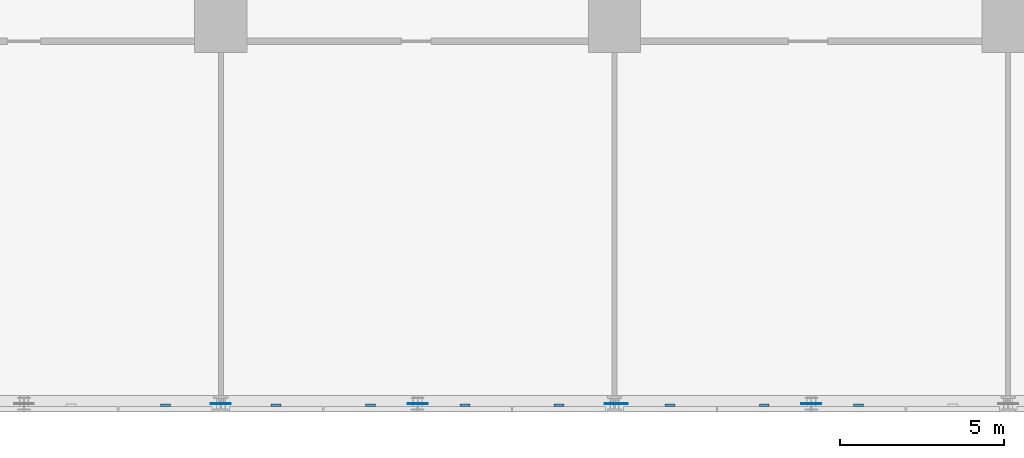
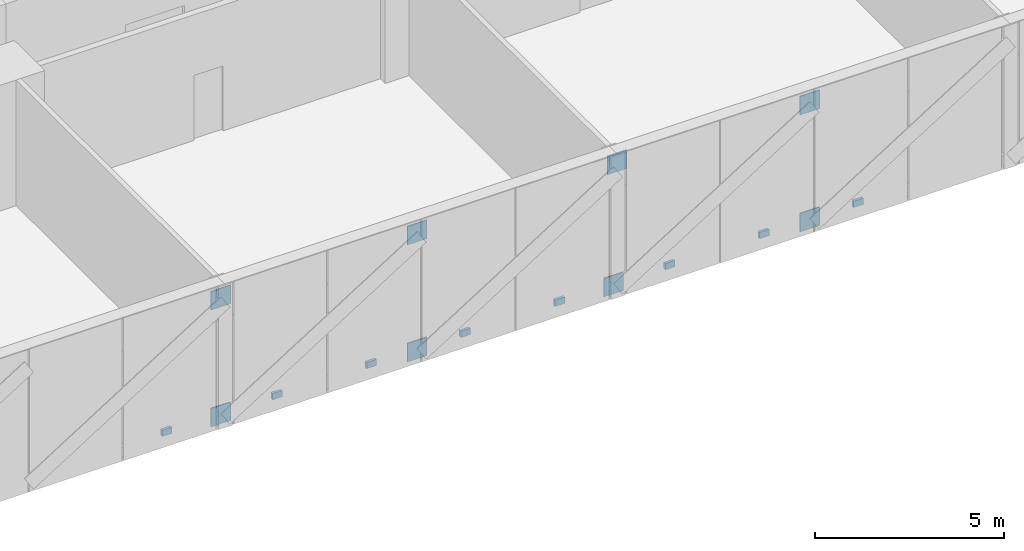
# One storey, part 15 of 25: 16 discrete accessories.
"""IFC4 building model written with IfcOpenShell, lengths in metres."""

import ifcopenshell
import ifcopenshell.guid

model = None  # the IFC model being written
_history = None  # IfcOwnerHistory: only IFC2X3 demands one
_inside = {}  # id of a spatial element -> (the spatial element, [elements in it])
_under = {}  # id of a project, library or spatial element -> (it, [spatial elements below it])
_declared = {}  # id of a project -> (the project, [libraries it declares])
_typed = {}  # id of a type object -> (the type object, [elements of that type])
_made_of = {}  # id of a material, layer set ... -> (it, [elements and type objects made of it])


def new_model(schema):
    """Start an empty IFC model of exactly this schema.

    Asked for "IFC4X3", IfcOpenShell would pick the latest addendum, in which some entities
    have other attributes; the version numbers below select the first issue.
    IFC2X3 requires an IfcOwnerHistory on every rooted entity: one is made here for all.
    """
    global model, _history
    if schema == "IFC4X3":
        model = ifcopenshell.file(schema_version=(4, 3, 0, 0))
    else:
        model = ifcopenshell.file(schema=schema)
    _inside.clear()
    _under.clear()
    _declared.clear()
    _typed.clear()
    _made_of.clear()
    _history = None
    if model.schema == "IFC2X3":
        org = make("IfcOrganization", Name="unknown")
        user = make(
            "IfcPersonAndOrganization",
            ThePerson=make("IfcPerson", FamilyName="unknown"),
            TheOrganization=org,
        )
        app = make(
            "IfcApplication",
            ApplicationDeveloper=org,
            Version="unknown",
            ApplicationFullName="unknown",
            ApplicationIdentifier="unknown",
        )
        _history = make(
            "IfcOwnerHistory",
            OwningUser=user,
            OwningApplication=app,
            ChangeAction="ADDED",
            CreationDate=0,
        )
    return model


def make(cls, **values):
    """One entity of the class cls with the attributes given. An attribute that is None is left unset."""
    return model.create_entity(
        cls, **{name: value for name, value in values.items() if value is not None}
    )


def rooted(cls, **values):
    """An entity with a GlobalId (a new one), such as an element, a storey or a relation."""
    return make(cls, GlobalId=ifcopenshell.guid.new(), OwnerHistory=_history, **values)


def si_unit(unit_type, name, prefix=None):
    """IfcSIUnit, for example si_unit("LENGTHUNIT", "METRE", prefix="MILLI")."""
    return make("IfcSIUnit", UnitType=unit_type, Prefix=prefix, Name=name)


def assignment(units):
    """IfcUnitAssignment: the units of a project."""
    return None if units is None else make("IfcUnitAssignment", Units=units)


def point(xyz):
    """IfcCartesianPoint."""
    return None if xyz is None else make("IfcCartesianPoint", Coordinates=xyz)


def direction(xyz):
    """IfcDirection."""
    return None if xyz is None else make("IfcDirection", DirectionRatios=xyz)


def frame(location, z_axis=None, x_axis=None):
    """IfcAxis2Placement3D, a coordinate frame: its origin and axes. An axis left out is left unset."""
    return make(
        "IfcAxis2Placement3D",
        Location=point(location),
        Axis=direction(z_axis),
        RefDirection=direction(x_axis),
    )


def frame_2d(location, x_axis=None):
    """IfcAxis2Placement2D, a coordinate frame in the plane: its origin and x axis."""
    return make(
        "IfcAxis2Placement2D", Location=point(location), RefDirection=direction(x_axis)
    )


def origin():
    """The frame at (0, 0, 0) with its axes left unset."""
    return frame((0.0, 0.0, 0.0))


def origin_2d():
    """The frame at (0, 0) in the plane with its x axis left unset."""
    return frame_2d((0.0, 0.0))


def place(relative_to, where):
    """IfcLocalPlacement: puts the frame where relative to a parent placement (None: the world)."""
    return make(
        "IfcLocalPlacement", PlacementRelTo=relative_to, RelativePlacement=where
    )


def context(
    kind, dimensions, precision=None, world=None, true_north=None, identifier=None
):
    """IfcGeometricRepresentationContext, for example the 3D "Model" context."""
    return make(
        "IfcGeometricRepresentationContext",
        ContextIdentifier=identifier,
        ContextType=kind,
        CoordinateSpaceDimension=dimensions,
        Precision=precision,
        WorldCoordinateSystem=world,
        TrueNorth=true_north,
    )


def subcontext(parent, identifier, kind, view, scale=None):
    """IfcGeometricRepresentationSubContext, for example "Body" below "Model"."""
    return make(
        "IfcGeometricRepresentationSubContext",
        ContextIdentifier=identifier,
        ContextType=kind,
        ParentContext=parent,
        TargetScale=scale,
        TargetView=view,
    )


def project(units=None, contexts=None):
    """IfcProject with its units and contexts."""
    return rooted(
        "IfcProject",
        Name="project",
        RepresentationContexts=contexts,
        UnitsInContext=assignment(units),
    )


def spatial(cls, under=None, at=None, **own):
    """A site, building, storey or space (cls), placed at a placement, below another one or the project."""
    s = rooted(cls, ObjectPlacement=at, **own)
    if under is not None:
        _under.setdefault(under.id(), (under, []))[1].append(s)
    return s


def profile(cls, at=None, kind="AREA", **sizes):
    """A parametric profile (cls). Its sizes go by their IFC names, for example OverallWidth=200.0."""
    return make(cls, ProfileType=kind, Position=at, **sizes)


def rectangle(**sizes):
    """IfcRectangleProfileDef."""
    return profile("IfcRectangleProfileDef", **sizes)


def extrude(swept, where, along, depth):
    """IfcExtrudedAreaSolid: the profile swept, set in the frame where, extruded along a direction by depth."""
    return make(
        "IfcExtrudedAreaSolid",
        SweptArea=swept,
        Position=where,
        ExtrudedDirection=direction(along),
        Depth=depth,
    )


def shape(context_of_items, identifier, shape_type, items):
    """IfcShapeRepresentation: the items that make up one representation, for example the "Body"."""
    return make(
        "IfcShapeRepresentation",
        ContextOfItems=context_of_items,
        RepresentationIdentifier=identifier,
        RepresentationType=shape_type,
        Items=items,
    )


def material(Name=None, Category=None):
    """IfcMaterial."""
    return make("IfcMaterial", Name=Name, Category=Category)


def layer(
    of_material, thickness, ventilated=None, Name=None, Category=None, Priority=None
):
    """IfcMaterialLayer: one layer of a wall or slab, of a material (None: an air gap)."""
    return make(
        "IfcMaterialLayer",
        Material=of_material,
        LayerThickness=thickness,
        IsVentilated=ventilated,
        Name=Name,
        Category=Category,
        Priority=Priority,
    )


def layer_set(layers, Name=None):
    """IfcMaterialLayerSet."""
    return make("IfcMaterialLayerSet", MaterialLayers=layers, LayerSetName=Name)


def made_of(thing, what):
    """Note that an element or type object is made of a material, layer set ...; save() writes the relation."""
    if what is not None:
        _made_of.setdefault(what.id(), (what, []))[1].append(thing)
    return thing


def type_object(cls, material=None, **own):
    """A type object (cls), such as IfcWallType, which elements share."""
    return made_of(rooted(cls, **own), material)


def element(
    cls,
    number,
    at=None,
    inside=None,
    cuts=None,
    type_object=None,
    material=None,
    context=None,
    identifier="Body",
    shape_type=None,
    held_by="IfcProductDefinitionShape",
    body=None,
    shapes=None,
    **own,
):
    """One element of the class cls, such as IfcWall. Its Tag is "e" and its number.

    at: its placement. inside: the storey or other place that contains it. cuts: it is an
    opening in that element (IfcRelVoidsElement). A single representation is given by context,
    identifier, shape_type and body (its items); several are given by shapes. held_by: the class
    of the entity that holds the representations. save() writes the other relations.
    """
    e = rooted(cls, Tag="e%d" % number, ObjectPlacement=at, **own)
    if body is not None:
        shapes = [shape(context, identifier, shape_type, body)]
    if shapes is not None:
        e.Representation = make(held_by, Representations=shapes)
    if inside is not None:
        _inside.setdefault(inside.id(), (inside, []))[1].append(e)
    if cuts is not None:
        rooted(
            "IfcRelVoidsElement", RelatingBuildingElement=cuts, RelatedOpeningElement=e
        )
    if type_object is not None:
        _typed.setdefault(type_object.id(), (type_object, []))[1].append(e)
    return made_of(e, material)


def aggregate(whole, parts):
    """IfcRelAggregates: a whole, such as a stair, and the parts it consists of."""
    return rooted("IfcRelAggregates", RelatingObject=whole, RelatedObjects=parts)


def save(model, path):
    """Write the relations noted so far, then the file.

    IfcRelAggregates (storeys below a building ...), IfcRelContainedInSpatialStructure (elements
    in a storey), IfcRelDefinesByType, IfcRelAssociatesMaterial and IfcRelDeclares: one each for
    every whole, place, type object, material and project.
    """
    for whole, parts in _under.values():
        aggregate(whole, parts)
    for where, things in _inside.values():
        rooted(
            "IfcRelContainedInSpatialStructure",
            RelatedElements=things,
            RelatingStructure=where,
        )
    for kind, things in _typed.values():
        rooted("IfcRelDefinesByType", RelatedObjects=things, RelatingType=kind)
    for what, things in _made_of.values():
        rooted("IfcRelAssociatesMaterial", RelatedObjects=things, RelatingMaterial=what)
    for by, libraries in _declared.values():
        rooted("IfcRelDeclares", RelatingContext=by, RelatedDefinitions=libraries)
    model.write(path)


model = new_model("IFC4")

# Units and contexts
model_context = context("Model", 3, precision=1e-05, world=origin(), true_north=direction((0.0, 1.0)))
body_context = subcontext(model_context, "Body", "Model", "MODEL_VIEW")
ifc_project = project(units=[si_unit("LENGTHUNIT", "METRE"), si_unit("AREAUNIT", "SQUARE_METRE"), si_unit("VOLUMEUNIT", "CUBIC_METRE"), si_unit("PLANEANGLEUNIT", "RADIAN"), si_unit("MASSUNIT", "GRAM", prefix="KILO")], contexts=[model_context])

# Site, building, storey
site_placement = place(None, origin())
site = spatial("IfcSite", under=ifc_project, at=site_placement, CompositionType="ELEMENT")
building_placement = place(site_placement, origin())
building = spatial("IfcBuilding", under=site, at=building_placement, Name="Mahtab Terrace Research Tower", CompositionType="ELEMENT")
storey_placement = place(building_placement, frame((0.0, 0.0, 41.60009765625)))
storey = spatial("IfcBuildingStorey", under=building, at=storey_placement, Name="L09", CompositionType="ELEMENT", Elevation=41.60009765625)

# Discrete accessories
ifc_material_1 = material(Name="Black anodised aluminium", Category="aluminium")
discrete_accessory_type_1 = type_object("IfcDiscreteAccessoryType", Name="Facade bracket", PredefinedType="BRACKET", material=ifc_material_1)
for number, where, z_axis, x_axis, name in (
    (1, (-7.686767578125, -23.044921875, -0.30029296875), (0.0, 0.0, 1.0), (1.0, 0.0, 0.0), "Louvre bracket L09 83"),
    (2, (-4.313232421875, -23.044921875, -0.30029296875), (0.0, 0.0, 1.0), (1.0, 0.0, 0.0), "Louvre bracket L09 84"),
    (3, (-1.437744140625, -23.044921875, -0.30029296875), (0.0, 0.0, 1.0), (1.0, 0.0, 0.0), "Louvre bracket L09 85"),
    (4, (1.437744140625, -23.044921875, -0.30029296875), (0.0, 0.0, 1.0), (1.0, 0.0, 0.0), "Louvre bracket L09 86"),
    (5, (4.313232421875, -23.044921875, -0.30029296875), (0.0, 0.0, 1.0), (1.0, 0.0, 0.0), "Louvre bracket L09 87"),
    (6, (7.686767578125, -23.044921875, -0.30029296875), (0.0, 0.0, 1.0), (1.0, 0.0, 0.0), "Louvre bracket L09 88"),
    (7, (10.562255859375, -23.044921875, -0.30029296875), (0.0, 0.0, 1.0), (1.0, 0.0, 0.0), "Louvre bracket L09 89"),
    (8, (13.437744140625, -23.044921875, -0.30029296875), (0.0, 0.0, 1.0), (1.0, 0.0, 0.0), "Louvre bracket L09 90"),
):
    element("IfcDiscreteAccessory", number, at=place(storey_placement, frame(where, z_axis=z_axis, x_axis=x_axis)), inside=storey, type_object=discrete_accessory_type_1, Name=name, PredefinedType="BRACKET", context=body_context, shape_type="SweptSolid", body=[
        extrude(rectangle(XDim=0.300048828125, YDim=0.090087890625, at=origin_2d()), origin(), (0.0, 0.0, 1.0), 0.199951171875),
    ])
ifc_material_2 = material(Name="Steel ASTM A992 Gr 50", Category="steel")
ifc_layer = layer(ifc_material_2, 0.030029296875)
ifc_layer_set = layer_set([ifc_layer], Name="Gusset plate 600x600x30")
discrete_accessory_type_2 = type_object("IfcDiscreteAccessoryType", Name="Gusset plate 600x600x30", PredefinedType="USERDEFINED", material=ifc_layer_set)
for number, where, z_axis, x_axis, name in (
    (9, (-6.0, -23.0, -0.575927734375), (0.0, 0.0, 1.0), (1.0, 0.0, 0.0), "Gusset plate"),
    (10, (-6.0, -23.0, 3.201171875), (0.0, 0.0, 1.0), (1.0, 0.0, 0.0), "Gusset plate"),
    (11, (0.0, -23.0, -0.575927734375), (0.0, 0.0, 1.0), (1.0, 0.0, 0.0), "Gusset plate"),
    (12, (0.0, -23.0, 3.201171875), (0.0, 0.0, 1.0), (1.0, 0.0, 0.0), "Gusset plate"),
    (13, (6.0, -23.0, -0.575927734375), (0.0, 0.0, 1.0), (1.0, 0.0, 0.0), "Gusset plate"),
    (14, (6.10595703125, -23.0, 3.329345703125), (0.0, 0.0, 1.0), (1.0, 0.0, 0.0), "Gusset plate"),
    (15, (12.0, -23.0, -0.575927734375), (0.0, 0.0, 1.0), (1.0, 0.0, 0.0), "Gusset plate"),
    (16, (12.0, -23.0, 3.201171875), (0.0, 0.0, 1.0), (1.0, 0.0, 0.0), "Gusset plate"),
):
    element("IfcDiscreteAccessory", number, at=place(storey_placement, frame(where, z_axis=z_axis, x_axis=x_axis)), inside=storey, type_object=discrete_accessory_type_2, Name=name, ObjectType="GUSSET PLATE", PredefinedType="USERDEFINED", context=body_context, shape_type="SweptSolid", body=[
        extrude(rectangle(XDim=0.60009765625, YDim=0.030029296875, at=origin_2d()), origin(), (0.0, 0.0, 1.0), 0.60009765625),
    ])

save(model, "model.ifc")
